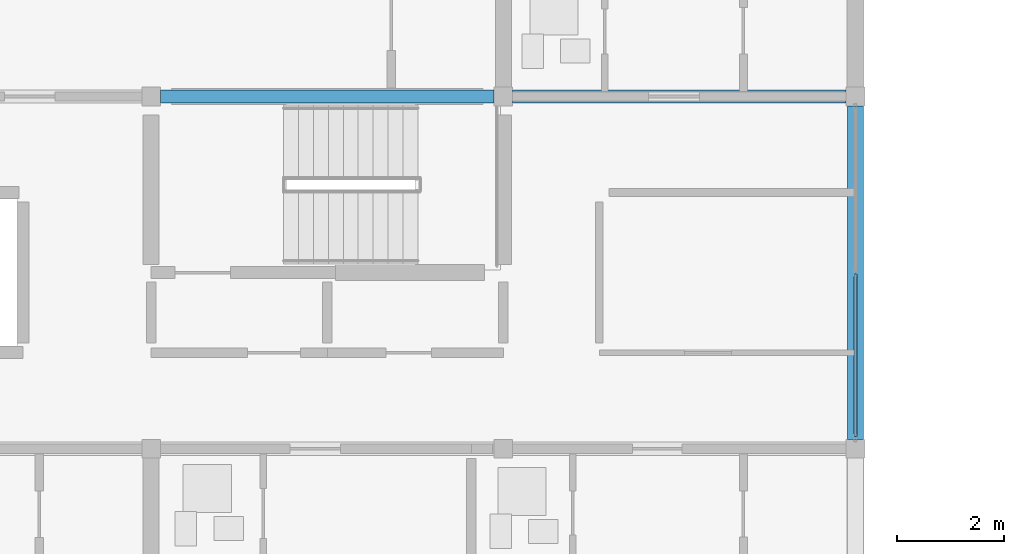
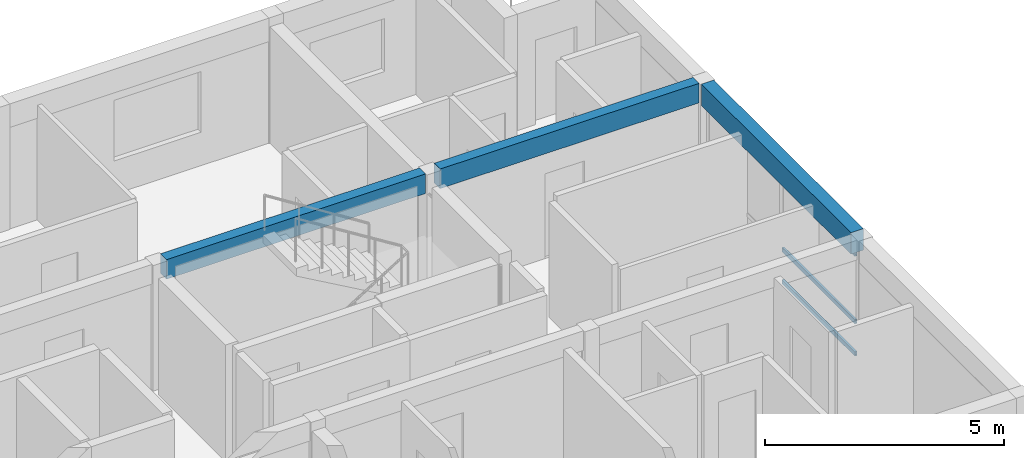
# One storey, part 9 of 53: 3 beams, 3 members, 1 element without a shape of its own.
"""IFC4 building model written with IfcOpenShell, lengths in metres."""

from ifc_helpers import new_model, si_unit, direction, frame, origin, origin_2d, place, context, subcontext, project, spatial, rectangle, hollow_rectangle, extrude, material, material_profile, profile_set, type_object, element, aggregate, save


model = new_model("IFC4")

# Units and contexts
model_context = context("Model", 3, precision=1e-05, world=origin(), true_north=direction((0.0, 1.0)))
body_context = subcontext(model_context, "Body", "Model", "MODEL_VIEW")
ifc_project = project(units=[si_unit("LENGTHUNIT", "METRE"), si_unit("AREAUNIT", "SQUARE_METRE"), si_unit("VOLUMEUNIT", "CUBIC_METRE"), si_unit("PLANEANGLEUNIT", "RADIAN"), si_unit("MASSUNIT", "GRAM", prefix="KILO")], contexts=[model_context])

# Site, building, storey
site_placement = place(None, origin())
site = spatial("IfcSite", under=ifc_project, at=site_placement, CompositionType="ELEMENT")
building_placement = place(site_placement, origin())
building = spatial("IfcBuilding", under=site, at=building_placement, Name="Kernevlak Ridge Housing Community", CompositionType="ELEMENT")
storey_placement = place(building_placement, frame((0.0, 0.0, 24.39990234375)))
storey = spatial("IfcBuildingStorey", under=building, at=storey_placement, Name="L07", CompositionType="ELEMENT", Elevation=24.39990234375)

# Beams
ifc_material_1 = material(Name="Concrete C35/45", Category="concrete")
ifc_material_profile_1 = material_profile(ifc_material_1, rectangle(XDim=0.25, YDim=0.5, at=origin_2d()), Name="RC 250x500")
ifc_profile_set_1 = profile_set([ifc_material_profile_1], Name="Concrete C35/45")
beam_type_1 = type_object("IfcBeamType", Name="B-06", PredefinedType="T_BEAM", material=ifc_profile_set_1)
for number, where, z_axis, x_axis, name in (
    (1, (28.97509765625, 28.800048828125, 2.9501953125), (1.0, 0.0, 0.0), (0.0, 1.0, 0.0), "Beam B-06 L07 1486"),
    (2, (35.574951171875, 28.800048828125, 2.9501953125), (1.0, 0.0, 0.0), (0.0, 1.0, 0.0), "Beam B-06 L07 1487"),
):
    element("IfcBeam", number, at=place(storey_placement, frame(where, z_axis=z_axis, x_axis=x_axis)), inside=storey, type_object=beam_type_1, Name=name, PredefinedType="T_BEAM", context=body_context, shape_type="SweptSolid", body=[
        extrude(rectangle(XDim=0.25, YDim=0.5, at=origin_2d()), origin(), (0.0, 0.0, 1.0), 6.25),
    ])
ifc_material_profile_2 = material_profile(ifc_material_1, rectangle(XDim=0.300048828125, YDim=0.550048828125, at=origin_2d()), Name="RC 300x550")
ifc_profile_set_2 = profile_set([ifc_material_profile_2], Name="Concrete C35/45")
beam_type_2 = type_object("IfcBeamType", Name="SP-01", PredefinedType="SPANDREL", material=ifc_profile_set_2)
beam_placement = place(storey_placement, frame((42.0, 22.375, 2.925048828125), z_axis=(0.0, 1.0, 0.0), x_axis=(-1.0, 0.0, 0.0)))
element("IfcBeam", 3, at=beam_placement, inside=storey, type_object=beam_type_2, Name="Beam SP-01 L07 1496", PredefinedType="SPANDREL", context=body_context, shape_type="SweptSolid", body=[
    extrude(rectangle(XDim=0.300048828125, YDim=0.550048828125, at=origin_2d()), origin(), (0.0, 0.0, 1.0), 6.25),
])

# Curtain wall, members
ifc_material_2 = material(Name="Aluminium EN AW-6060 anodised and laminated glass", Category="aluminium")
curtain_wall_type = type_object("IfcCurtainWallType", Name="CW-01", PredefinedType="NOTDEFINED", material=ifc_material_2)
curtain_wall_placement = place(storey_placement, origin())
curtain_wall = element("IfcCurtainWall", 4, at=curtain_wall_placement, inside=storey, type_object=curtain_wall_type, Name="Curtain wall CW-01 CW-L07-162", PredefinedType="NOTDEFINED")
ifc_material_3 = material(Name="Aluminium EN AW-6060 anodised", Category="aluminium")
ifc_material_profile_3 = material_profile(ifc_material_3, hollow_rectangle(XDim=0.054931640625, YDim=0.110107421875, WallThickness=0.00390625, InnerFilletRadius=0.001953125, OuterFilletRadius=0.00390625, at=origin_2d()), Name="ALU 55x110x4")
ifc_profile_set_3 = profile_set([ifc_material_profile_3], Name="Aluminium EN AW-6060 anodised")
member_type = type_object("IfcMemberType", Name="TM-01", PredefinedType="USERDEFINED", material=ifc_profile_set_3)
member_1_placement = place(storey_placement, frame((42.0, 22.429931640625, 0.027587890625), z_axis=(0.0, 1.0, 0.0), x_axis=(-1.0, 0.0, 0.0)))
member_1 = element("IfcMember", 5, at=member_1_placement, type_object=member_type, Name="CW-01 transom 1.1", ObjectType="TRANSOM", PredefinedType="USERDEFINED", context=body_context, shape_type="SweptSolid", body=[
    extrude(hollow_rectangle(XDim=0.054931640625, YDim=0.110107421875, WallThickness=0.00390625, InnerFilletRadius=0.001953125, OuterFilletRadius=0.00390625, at=origin_2d()), origin(), (0.0, 0.0, 1.0), 3.04248046875),
])
member_2_placement = place(storey_placement, frame((42.0, 22.429931640625, 0.85009765625), z_axis=(0.0, 1.0, 0.0), x_axis=(-1.0, 0.0, 0.0)))
member_2 = element("IfcMember", 6, at=member_2_placement, type_object=member_type, Name="CW-01 transom 1.2", ObjectType="TRANSOM", PredefinedType="USERDEFINED", context=body_context, shape_type="SweptSolid", body=[
    extrude(hollow_rectangle(XDim=0.054931640625, YDim=0.110107421875, WallThickness=0.00390625, InnerFilletRadius=0.001953125, OuterFilletRadius=0.00390625, at=origin_2d()), origin(), (0.0, 0.0, 1.0), 3.04248046875),
])
member_3_placement = place(storey_placement, frame((42.0, 22.429931640625, 2.572509765625), z_axis=(0.0, 1.0, 0.0), x_axis=(-1.0, 0.0, 0.0)))
member_3 = element("IfcMember", 7, at=member_3_placement, type_object=member_type, Name="CW-01 transom 1.3", ObjectType="TRANSOM", PredefinedType="USERDEFINED", context=body_context, shape_type="SweptSolid", body=[
    extrude(hollow_rectangle(XDim=0.054931640625, YDim=0.110107421875, WallThickness=0.00390625, InnerFilletRadius=0.001953125, OuterFilletRadius=0.00390625, at=origin_2d()), origin(), (0.0, 0.0, 1.0), 3.04248046875),
])
aggregate(curtain_wall, [member_1, member_2, member_3])

save(model, "model.ifc")
